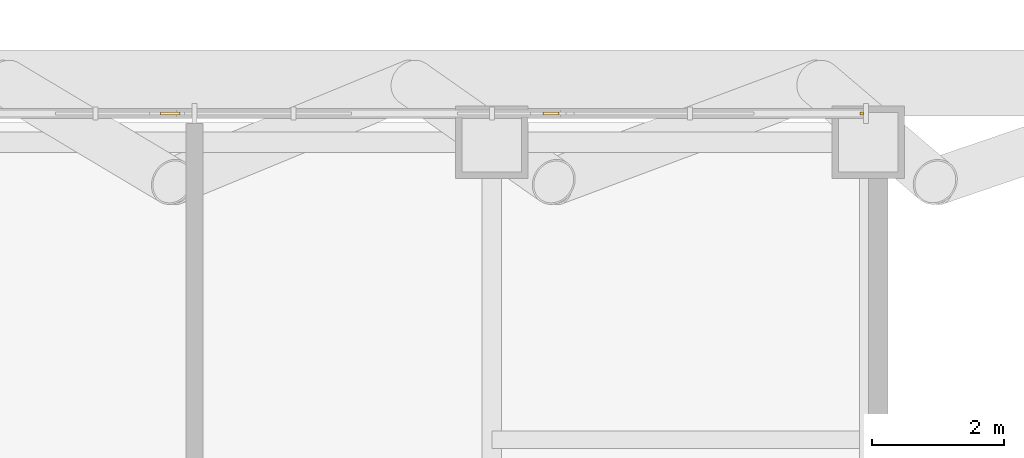
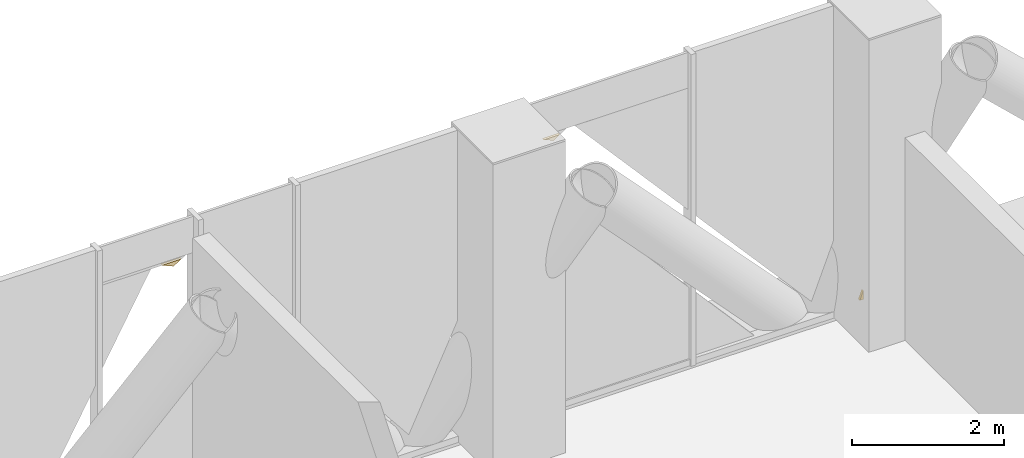
# One storey, part 28 of 29: 3 coverings.
"""IFC4 building model written with IfcOpenShell, lengths in metres."""

from ifc_helpers import new_model, si_unit, direction, frame, origin, place, context, subcontext, project, spatial, polyline, outline, extrude, material, layer, layer_set, type_object, element, save


model = new_model("IFC4")

# Units and contexts
model_context = context("Model", 3, precision=1e-05, world=origin(), true_north=direction((0.0, 1.0)))
body_context = subcontext(model_context, "Body", "Model", "MODEL_VIEW")
ifc_project = project(units=[si_unit("LENGTHUNIT", "METRE"), si_unit("AREAUNIT", "SQUARE_METRE"), si_unit("VOLUMEUNIT", "CUBIC_METRE"), si_unit("PLANEANGLEUNIT", "RADIAN"), si_unit("MASSUNIT", "GRAM", prefix="KILO")], contexts=[model_context])

# Site, building, storey
site_placement = place(None, origin())
site = spatial("IfcSite", under=ifc_project, at=site_placement, CompositionType="ELEMENT")
building_placement = place(site_placement, origin())
building = spatial("IfcBuilding", under=site, at=building_placement, Name="Malebo Sky Hospital", CompositionType="ELEMENT")
storey_placement = place(building_placement, frame((0.0, 0.0, 172.0)))
storey = spatial("IfcBuildingStorey", under=building, at=storey_placement, Name="L41", CompositionType="ELEMENT", Elevation=172.0)

# Coverings
ifc_material = material(Name="Anodised aluminium, natural silver insulated infill panel", Category="aluminium")
ifc_layer = layer(ifc_material, 0.0400390625)
ifc_layer_set = layer_set([ifc_layer], Name="BRACE INFILL PANEL 40")
covering_type = type_object("IfcCoveringType", Name="BRACE INFILL PANEL 40", PredefinedType="CLADDING", material=ifc_layer_set)
covering_1_placement = place(storey_placement, frame((68.634033203125, 86.135009765625, 4.29296875), z_axis=(0.0, 0.0, 1.0), x_axis=(1.0, 0.0, 0.0)))
element("IfcCovering", 1, at=covering_1_placement, inside=storey, type_object=covering_type, Name="Brace infill panel 11.3", PredefinedType="CLADDING", context=body_context, shape_type="SweptSolid", body=[
    extrude(outline(polyline([(0.023681640625, 0.0), (0.1474609375, 0.074951171875), (-0.1474609375, 0.074951171875), (0.023681640625, 0.0)])), frame((0.0, 0.02001953125, 0.0), z_axis=(0.0, -1.0, 0.0), x_axis=(1.0, 0.0, 0.0)), (0.0, 0.0, 1.0), 0.0400390625),
])
covering_2_placement = place(storey_placement, frame((74.397216796875, 86.135009765625, 4.2919921875), z_axis=(0.0, 0.0, 1.0), x_axis=(1.0, 0.0, 0.0)))
element("IfcCovering", 2, at=covering_2_placement, inside=storey, type_object=covering_type, Name="Brace infill panel 14.4", PredefinedType="CLADDING", context=body_context, shape_type="SweptSolid", body=[
    extrude(outline(polyline([(0.0322265625, 0.0), (0.122802734375, 0.060302734375), (-0.122802734375, 0.060302734375), (0.0322265625, 0.0)])), frame((0.0, 0.02001953125, 0.0), z_axis=(0.0, -1.0, 0.0), x_axis=(1.0, 0.0, 0.0)), (0.0, 0.0, 1.0), 0.0400390625),
])
covering_3_placement = place(storey_placement, frame((79.09765625, 86.135009765625, 0.10009765625), z_axis=(0.0, 0.0, 1.0), x_axis=(1.0, 0.0, 0.0)))
element("IfcCovering", 3, at=covering_3_placement, inside=storey, type_object=covering_type, Name="Brace infill panel 15.2", PredefinedType="CLADDING", context=body_context, shape_type="SweptSolid", body=[
    extrude(outline(polyline([(-0.02734375, 0.0), (0.02734375, 0.0), (0.02734375, 0.1416015625), (-0.02734375, 0.0)])), frame((0.0, 0.02001953125, 0.0), z_axis=(0.0, -1.0, 0.0), x_axis=(1.0, 0.0, 0.0)), (0.0, 0.0, 1.0), 0.0400390625),
])

save(model, "model.ifc")
